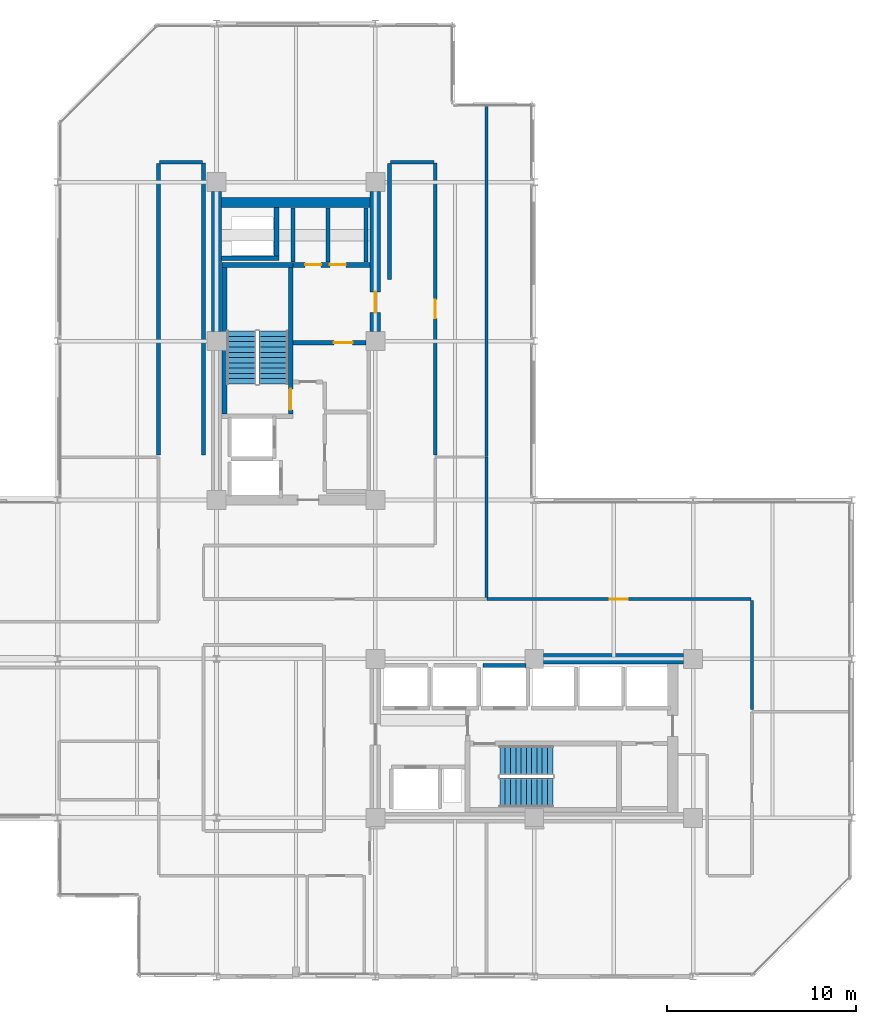
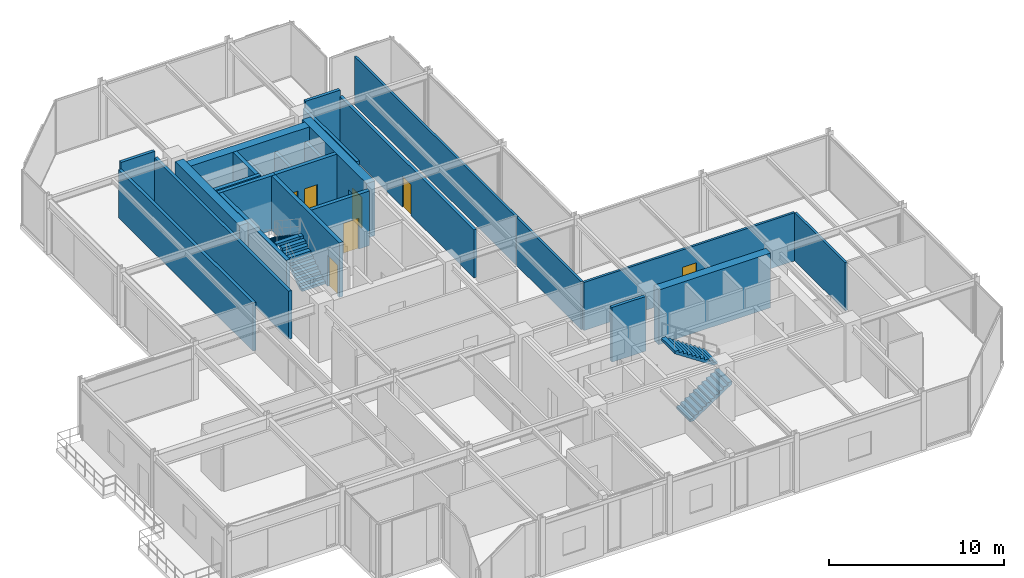
# One storey, part 26 of 29: 25 walls, 7 doors, 4 stair flights, 7 openings, 2 elements without a shape of their own.
"""IFC4 building model written with IfcOpenShell, lengths in metres."""

from ifc_helpers import new_model, si_unit, direction, frame, frame_2d, origin, place, context, subcontext, project, spatial, polyline, rectangle, outline, extrude, material, layer, layer_set, type_object, element, fill, aggregate, save


model = new_model("IFC4")

# Units and contexts
model_context = context("Model", 3, precision=1e-05, world=origin(), true_north=direction((0.0, 1.0)))
body_context = subcontext(model_context, "Body", "Model", "MODEL_VIEW")
ifc_project = project(units=[si_unit("LENGTHUNIT", "METRE"), si_unit("AREAUNIT", "SQUARE_METRE"), si_unit("VOLUMEUNIT", "CUBIC_METRE"), si_unit("PLANEANGLEUNIT", "RADIAN"), si_unit("MASSUNIT", "GRAM", prefix="KILO")], contexts=[model_context])

# Site, building, storey
site_placement = place(None, origin())
site = spatial("IfcSite", under=ifc_project, at=site_placement, CompositionType="ELEMENT")
building_placement = place(site_placement, origin())
building = spatial("IfcBuilding", under=site, at=building_placement, Name="Nerrivon Quay Data Exchange", CompositionType="ELEMENT")
storey_placement = place(building_placement, frame((0.0, 0.0, 212.39990234375)))
storey = spatial("IfcBuildingStorey", under=building, at=storey_placement, Name="L50", CompositionType="ELEMENT", Elevation=212.39990234375)

# Walls
ifc_material_1 = material(Name="Concrete S65 (65 MPa)", Category="concrete")
ifc_layer_1 = layer(ifc_material_1, 0.550048828125)
ifc_layer_set_1 = layer_set([ifc_layer_1], Name="Concrete S65 (65 MPa)")
wall_type_1 = type_object("IfcWallType", Name="WALL-CW-700", PredefinedType="SHEAR", material=ifc_layer_set_1)
wall_1_placement = place(storey_placement, frame((8.39990234375, 34.10009765625, 0.0), z_axis=(0.0, 0.0, 1.0), x_axis=(0.0, 1.0, 0.0)))
element("IfcWall", 1, at=wall_1_placement, inside=storey, type_object=wall_type_1, Name="L50 West Split-Core Shear Wall WCW-W2", PredefinedType="SHEAR", context=body_context, shape_type="SweptSolid", body=[
    extrude(rectangle(XDim=7.39990234375, YDim=0.550048828125, at=frame_2d((3.699951171875, 0.0))), origin(), (0.0, 0.0, 1.0), 3.8251953125),
])
wall_2_placement = place(storey_placement, frame((8.675048828125, 40.925048828125, 0.0), z_axis=(0.0, 0.0, 1.0), x_axis=(1.0, 0.0, 0.0)))
element("IfcWall", 2, at=wall_2_placement, inside=storey, type_object=wall_type_1, Name="L50 West Split-Core Shear Wall WCW-N1", PredefinedType="SHEAR", context=body_context, shape_type="SweptSolid", body=[
    extrude(rectangle(XDim=7.849853515625, YDim=0.550048828125, at=frame_2d((3.9248046875, 0.0))), origin(), (0.0, 0.0, 1.0), 3.8251953125),
])

# Wall, opening, door
wall_3_placement = place(storey_placement, frame((16.800048828125, 34.10009765625, 0.0), z_axis=(0.0, 0.0, 1.0), x_axis=(0.0, 1.0, 0.0)))
wall_3 = element("IfcWall", 3, at=wall_3_placement, inside=storey, type_object=wall_type_1, Name="L50 West Split-Core Shear Wall WCW-E1", PredefinedType="SHEAR", context=body_context, shape_type="SweptSolid", body=[
    extrude(rectangle(XDim=7.39990234375, YDim=0.550048828125, at=frame_2d((3.699951171875, 0.0))), origin(), (0.0, 0.0, 1.0), 3.8251953125),
])
opening_1_placement = place(wall_3_placement, frame((1.0, 0.0, 0.0)))
opening_1 = element("IfcOpeningElement", 4, at=opening_1_placement, cuts=wall_3, Name="Opening FD-120", PredefinedType="OPENING", context=body_context, shape_type="SweptSolid", body=[
    extrude(rectangle(XDim=1.10009765625, YDim=2.14990234375, at=frame_2d((0.550048828125, 1.074951171875))), frame((0.0, 0.284912109375, 0.0), z_axis=(0.0, -1.0, 0.0), x_axis=(1.0, 0.0, 0.0)), (0.0, 0.0, 1.0), 0.570068359375),
])
ifc_material_2 = material(Name="Powder-coated galvanized steel sheet", Category="steel")
door_type_1 = type_object("IfcDoorType", Name="DR-FD120-1100", OperationType="NOTDEFINED", PredefinedType="DOOR", material=ifc_material_2)
door_1_placement = place(opening_1_placement, origin())
door_1 = element("IfcDoor", 5, at=door_1_placement, inside=storey, type_object=door_type_1, Name="L50 West Core Lobby Fire Door", OperationType="SINGLE_SWING_LEFT", OverallHeight=2.14990234375, OverallWidth=1.10009765625, PredefinedType="DOOR", context=body_context, shape_type="SweptSolid", body=[
    extrude(rectangle(XDim=1.10009765625, YDim=2.14990234375, at=frame_2d((0.550048828125, 1.074951171875))), frame((0.0, 0.02490234375, 0.0), z_axis=(0.0, -1.0, 0.0), x_axis=(1.0, 0.0, 0.0)), (0.0, 0.0, 1.0), 0.050048828125),
])
fill(opening_1, door_1)

# Walls
wall_4_placement = place(storey_placement, frame((25.699951171875, 16.800048828125, 0.0), z_axis=(0.0, 0.0, 1.0), x_axis=(1.0, 0.0, 0.0)))
element("IfcWall", 6, at=wall_4_placement, inside=storey, type_object=wall_type_1, Name="L50 East Split-Core Shear Wall ECW-N1", PredefinedType="SHEAR", context=body_context, shape_type="SweptSolid", body=[
    extrude(rectangle(XDim=7.400146484375, YDim=0.550048828125, at=frame_2d((3.7001953125, 0.0))), origin(), (0.0, 0.0, 1.0), 3.8251953125),
])
ifc_material_3 = material(Name="Gypsum plasterboard on cold-formed framing", Category="gypsum")
ifc_layer_2 = layer(ifc_material_3, 0.199951171875)
ifc_layer_set_2 = layer_set([ifc_layer_2], Name="Gypsum plasterboard on cold-formed framing")
wall_type_2 = type_object("IfcWallType", Name="WALL-FW-200", PredefinedType="PARTITIONING", material=ifc_layer_set_2)
wall_5_placement = place(storey_placement, frame((22.5, 16.449951171875, 0.0), z_axis=(0.0, 0.0, 1.0), x_axis=(1.0, 0.0, 0.0)))
element("IfcWall", 7, at=wall_5_placement, inside=storey, type_object=wall_type_2, Name="L50 Lift Shaft Wall PL6 NORTH", PredefinedType="PARTITIONING", context=body_context, shape_type="SweptSolid", body=[
    extrude(rectangle(XDim=2.25, YDim=0.199951171875, at=frame_2d((1.125, 0.0))), origin(), (0.0, 0.0, 1.0), 3.8251953125),
])
for number, where, z_axis, x_axis, name in (
    (8, (14.300048828125, 37.780029296875, 0.0), (0.0, 0.0, 1.0), (0.0, 1.0, 0.0), "L50 Partition Cleaners Store"),
    (9, (12.449951171875, 40.64599609375, 0.0), (0.0, 0.0, 1.0), (0.0, -1.0, 0.0), "L50 Partition Cleaners Store"),
    (10, (16.300048828125, 37.780029296875, 0.0), (0.0, 0.0, 1.0), (0.0, 1.0, 0.0), "L50 Partition Janitor Closet"),
):
    element("IfcWall", number, at=place(storey_placement, frame(where, z_axis=z_axis, x_axis=x_axis)), inside=storey, type_object=wall_type_2, Name=name, PredefinedType="PARTITIONING", context=body_context, shape_type="SweptSolid", body=[
        extrude(rectangle(XDim=2.865966796875, YDim=0.199951171875, at=frame_2d((1.43310546875, 0.0))), origin(), (0.0, 0.0, 1.0), 2.875),
    ])
wall_6_placement = place(storey_placement, frame((5.340087890625, 27.589111328125, 0.0), z_axis=(0.0, 0.0, 1.0), x_axis=(0.0, 1.0, 0.0)))
element("IfcWall", 11, at=wall_6_placement, inside=storey, type_object=wall_type_2, Name="L50 Partition Colocation Data Workspace 1", PredefinedType="PARTITIONING", context=body_context, shape_type="SweptSolid", body=[
    extrude(rectangle(XDim=15.410888671875, YDim=0.199951171875, at=frame_2d((7.70556640625, 0.0))), origin(), (0.0, 0.0, 1.0), 3.364990234375),
])
wall_7_placement = place(storey_placement, frame((5.39990234375, 43.06005859375, 0.0), z_axis=(0.0, 0.0, 1.0), x_axis=(1.0, 0.0, 0.0)))
element("IfcWall", 12, at=wall_7_placement, inside=storey, type_object=wall_type_2, Name="L50 Partition Colocation Data Workspace 1", PredefinedType="PARTITIONING", context=body_context, shape_type="SweptSolid", body=[
    extrude(rectangle(XDim=2.25, YDim=0.199951171875, at=frame_2d((1.125, 0.0))), origin(), (0.0, 0.0, 1.0), 3.8251953125),
])
wall_8_placement = place(storey_placement, frame((7.709716796875, 43.005859375, 0.0), z_axis=(0.0, 0.0, 1.0), x_axis=(1.5836065e-05, -0.999999999875, 0.0)))
element("IfcWall", 13, at=wall_8_placement, inside=storey, type_object=wall_type_2, Name="L50 Partition Colocation Data Workspace 1", PredefinedType="PARTITIONING", context=body_context, shape_type="SweptSolid", body=[
    extrude(rectangle(XDim=15.416748046875, YDim=0.199951171875, at=frame_2d((7.70849609375, 0.0))), origin(), (0.0, 0.0, 1.0), 3.364990234375),
])
wall_9_placement = place(storey_placement, frame((17.5400390625, 36.860107421875, 0.0), z_axis=(0.0, 0.0, 1.0), x_axis=(0.0, 1.0, 0.0)))
element("IfcWall", 14, at=wall_9_placement, inside=storey, type_object=wall_type_2, Name="L50 Partition Colocation Data Workspace 1", PredefinedType="PARTITIONING", context=body_context, shape_type="SweptSolid", body=[
    extrude(rectangle(XDim=6.139892578125, YDim=0.199951171875, at=frame_2d((3.06982421875, 0.0))), origin(), (0.0, 0.0, 1.0), 3.364990234375),
])
wall_10_placement = place(storey_placement, frame((17.60009765625, 43.06005859375, 0.0), z_axis=(0.0, 0.0, 1.0), x_axis=(1.0, 0.0, 0.0)))
element("IfcWall", 15, at=wall_10_placement, inside=storey, type_object=wall_type_2, Name="L50 Partition Colocation Data Workspace 1", PredefinedType="PARTITIONING", context=body_context, shape_type="SweptSolid", body=[
    extrude(rectangle(XDim=2.2998046875, YDim=0.199951171875, at=frame_2d((1.14990234375, 0.0))), origin(), (0.0, 0.0, 1.0), 3.8251953125),
])

# Wall, opening, door
wall_11_placement = place(storey_placement, frame((19.959716796875, 43.005859375, 0.0), z_axis=(0.0, 0.0, 1.0), x_axis=(1.5836065e-05, -0.999999999875, 0.0)))
wall_11 = element("IfcWall", 16, at=wall_11_placement, inside=storey, type_object=wall_type_2, Name="L50 Partition Colocation Data Workspace 1", PredefinedType="PARTITIONING", context=body_context, shape_type="SweptSolid", body=[
    extrude(rectangle(XDim=15.416748046875, YDim=0.199951171875, at=frame_2d((7.70849609375, 0.0))), origin(), (0.0, 0.0, 1.0), 3.364990234375),
])
opening_2_placement = place(wall_11_placement, frame((7.20849609375, 0.0, 0.0)))
opening_2 = element("IfcOpeningElement", 17, at=opening_2_placement, cuts=wall_11, Name="Opening FD-60", PredefinedType="OPENING", context=body_context, shape_type="SweptSolid", body=[
    extrude(rectangle(XDim=1.0, YDim=2.14990234375, at=frame_2d((0.5, 1.074951171875))), frame((0.0, 0.10986328125, 0.0), z_axis=(0.0, -1.0, 0.0), x_axis=(1.0, 0.0, 0.0)), (0.0, 0.0, 1.0), 0.219970703125),
])
ifc_material_4 = material(Name="Engineered hardwood timber", Category="wood")
door_type_2 = type_object("IfcDoorType", Name="DR-FD60-1000", OperationType="NOTDEFINED", PredefinedType="DOOR", material=ifc_material_4)
door_2_placement = place(opening_2_placement, origin())
door_2 = element("IfcDoor", 18, at=door_2_placement, inside=storey, type_object=door_type_2, Name="L50 Door Colocation Data Workspace 1", OperationType="SINGLE_SWING_RIGHT", OverallHeight=2.14990234375, OverallWidth=1.0, PredefinedType="DOOR", context=body_context, shape_type="SweptSolid", body=[
    extrude(rectangle(XDim=1.0, YDim=2.14990234375, at=frame_2d((0.5, 1.074951171875))), frame((0.0, 0.02490234375, 0.0), z_axis=(0.0, -1.0, 0.0), x_axis=(1.0, 0.0, 0.0)), (0.0, 0.0, 1.0), 0.050048828125),
])
fill(opening_2, door_2)

# Walls
ifc_layer_3 = layer(ifc_material_3, 0.14990234375)
ifc_layer_set_3 = layer_set([ifc_layer_3], Name="Gypsum plasterboard on cold-formed framing")
wall_type_3 = type_object("IfcWallType", Name="WALL-PT-150", PredefinedType="PARTITIONING", material=ifc_layer_set_3)
wall_12_placement = place(storey_placement, frame((22.673095703125, 20.0390625, 0.0), z_axis=(0.0, 0.0, 1.0), x_axis=(0.0, 1.0, 0.0)))
element("IfcWall", 19, at=wall_12_placement, inside=storey, type_object=wall_type_3, Name="L50 Partition Network Security Control", PredefinedType="PARTITIONING", context=body_context, shape_type="SweptSolid", body=[
    extrude(rectangle(XDim=7.43017578125, YDim=0.14990234375, at=frame_2d((3.715087890625, 0.0))), origin(), (0.0, 0.0, 1.0), 3.364990234375),
])
wall_13_placement = place(storey_placement, frame((22.673095703125, 46.031005859375, 0.0), z_axis=(0.0, 0.0, 1.0), x_axis=(0.0, -1.0, 0.0)))
element("IfcWall", 20, at=wall_13_placement, inside=storey, type_object=wall_type_3, Name="L50 Partition Staff Bistro", PredefinedType="PARTITIONING", context=body_context, shape_type="SweptSolid", body=[
    extrude(rectangle(XDim=18.541748046875, YDim=0.14990234375, at=frame_2d((9.27099609375, 0.0))), origin(), (0.0, 0.0, 1.0), 3.364990234375),
])

# Wall, opening, door
wall_14_placement = place(storey_placement, frame((22.693115234375, 19.9599609375, 0.0), z_axis=(0.0, 0.0, 1.0), x_axis=(1.0, 0.0, 0.0)))
wall_14 = element("IfcWall", 21, at=wall_14_placement, inside=storey, type_object=wall_type_3, Name="L50 Partition Staff Bistro", PredefinedType="PARTITIONING", context=body_context, shape_type="SweptSolid", body=[
    extrude(rectangle(XDim=13.956787109375, YDim=0.14990234375, at=frame_2d((6.978515625, 0.0))), origin(), (0.0, 0.0, 1.0), 3.37109375),
])
opening_3_placement = place(wall_14_placement, frame((6.50341796875, 0.0, 0.0)))
opening_3 = element("IfcOpeningElement", 22, at=opening_3_placement, cuts=wall_14, Name="Opening D-01", PredefinedType="OPENING", context=body_context, shape_type="SweptSolid", body=[
    extrude(rectangle(XDim=0.949951171875, YDim=2.14990234375, at=frame_2d((0.47509765625, 1.074951171875))), frame((0.0, 0.0849609375, 0.0), z_axis=(0.0, -1.0, 0.0), x_axis=(1.0, 0.0, 0.0)), (0.0, 0.0, 1.0), 0.169921875),
])
door_type_3 = type_object("IfcDoorType", Name="DR-INT-950", OperationType="NOTDEFINED", PredefinedType="DOOR", material=ifc_material_4)
door_3_placement = place(opening_3_placement, origin())
door_3 = element("IfcDoor", 23, at=door_3_placement, inside=storey, type_object=door_type_3, Name="L50 Door Staff Bistro", OperationType="SINGLE_SWING_RIGHT", OverallHeight=2.14990234375, OverallWidth=0.949951171875, PredefinedType="DOOR", context=body_context, shape_type="SweptSolid", body=[
    extrude(rectangle(XDim=0.949951171875, YDim=2.14990234375, at=frame_2d((0.47509765625, 1.074951171875))), frame((0.0, 0.02490234375, 0.0), z_axis=(0.0, -1.0, 0.0), x_axis=(1.0, 0.0, 0.0)), (0.0, 0.0, 1.0), 0.050048828125),
])
fill(opening_3, door_3)

# Walls
wall_15_placement = place(storey_placement, frame((36.7099609375, 19.89990234375, 0.0), z_axis=(0.0, 0.0, 1.0), x_axis=(0.0, -1.0, 0.0)))
element("IfcWall", 24, at=wall_15_placement, inside=storey, type_object=wall_type_3, Name="L50 Partition Staff Bistro", PredefinedType="PARTITIONING", context=body_context, shape_type="SweptSolid", body=[
    extrude(rectangle(XDim=5.77978515625, YDim=0.14990234375, at=frame_2d((2.889892578125, 0.0))), origin(), (0.0, 0.0, 1.0), 3.364990234375),
])
ifc_material_5 = material(Name="Concrete N50 (50 MPa)", Category="concrete")
ifc_layer_4 = layer(ifc_material_5, 0.25)
ifc_layer_set_4 = layer_set([ifc_layer_4], Name="Concrete N50 (50 MPa)")
wall_type_4 = type_object("IfcWallType", Name="WALL-SW-250", PredefinedType="SHEAR", material=ifc_layer_set_4)
wall_16_placement = place(storey_placement, frame((12.449951171875, 37.625, 0.0), z_axis=(0.0, 0.0, 1.0), x_axis=(-1.0, 0.0, 0.0)))
element("IfcWall", 25, at=wall_16_placement, inside=storey, type_object=wall_type_4, Name="L50 ST01 Structural Stair Core Wall FAR", PredefinedType="SHEAR", context=body_context, shape_type="SweptSolid", body=[
    extrude(rectangle(XDim=3.75, YDim=0.25, at=frame_2d((1.875, 0.0))), origin(), (0.0, 0.0, 1.0), 3.8251953125),
])

# Wall, opening, door
wall_17_placement = place(storey_placement, frame((12.324951171875, 29.75, 0.0), z_axis=(0.0, 0.0, 1.0), x_axis=(0.0, 1.0, 0.0)))
wall_17 = element("IfcWall", 26, at=wall_17_placement, inside=storey, type_object=wall_type_4, Name="L50 ST01 Structural Stair Core Wall LEFT", PredefinedType="SHEAR", context=body_context, shape_type="SweptSolid", body=[
    extrude(rectangle(XDim=7.75, YDim=0.25, at=frame_2d((3.875, 0.0))), origin(), (0.0, 0.0, 1.0), 3.8251953125),
])
opening_4_placement = place(wall_17_placement, frame((0.219970703125, 0.0, 0.0)))
opening_4 = element("IfcOpeningElement", 27, at=opening_4_placement, cuts=wall_17, Name="Opening FD-120", PredefinedType="OPENING", context=body_context, shape_type="SweptSolid", body=[
    extrude(rectangle(XDim=1.10009765625, YDim=2.14990234375, at=frame_2d((0.550048828125, 1.074951171875))), frame((0.0, 0.135009765625, 0.0), z_axis=(0.0, -1.0, 0.0), x_axis=(1.0, 0.0, 0.0)), (0.0, 0.0, 1.0), 0.27001953125),
])
door_4_placement = place(opening_4_placement, origin())
door_4 = element("IfcDoor", 28, at=door_4_placement, inside=storey, type_object=door_type_1, Name="L50 Protected Stair Door ST01", OperationType="SINGLE_SWING_LEFT", OverallHeight=2.14990234375, OverallWidth=1.10009765625, PredefinedType="DOOR", context=body_context, shape_type="SweptSolid", body=[
    extrude(rectangle(XDim=1.10009765625, YDim=2.14990234375, at=frame_2d((0.550048828125, 1.074951171875))), frame((0.0, 0.02490234375, 0.0), z_axis=(0.0, -1.0, 0.0), x_axis=(1.0, 0.0, 0.0)), (0.0, 0.0, 1.0), 0.050048828125),
])
fill(opening_4, door_4)

# Walls
wall_18_placement = place(storey_placement, frame((8.824951171875, 29.75, 0.0), z_axis=(0.0, 0.0, 1.0), x_axis=(0.0, 1.0, 0.0)))
element("IfcWall", 29, at=wall_18_placement, inside=storey, type_object=wall_type_4, Name="L50 ST01 Structural Stair Core Wall RIGHT", PredefinedType="SHEAR", context=body_context, shape_type="SweptSolid", body=[
    extrude(rectangle(XDim=7.75, YDim=0.25, at=frame_2d((3.875, 0.0))), origin(), (0.0, 0.0, 1.0), 3.8251953125),
])
wall_19_placement = place(storey_placement, frame((8.675048828125, 37.97509765625, 0.0), z_axis=(0.0, 0.0, 1.0), x_axis=(1.0, 0.0, 0.0)))
element("IfcWall", 30, at=wall_19_placement, inside=storey, type_object=wall_type_4, Name="L50 West Core MEP Riser Shaft Wall S", PredefinedType="SHEAR", context=body_context, shape_type="SweptSolid", body=[
    extrude(rectangle(XDim=3.02490234375, YDim=0.25, at=frame_2d((1.512451171875, 0.0))), origin(), (0.0, 0.0, 1.0), 3.8251953125),
])
wall_20_placement = place(storey_placement, frame((11.574951171875, 38.10009765625, 0.0), z_axis=(0.0, 0.0, 1.0), x_axis=(0.0, 1.0, 0.0)))
element("IfcWall", 31, at=wall_20_placement, inside=storey, type_object=wall_type_4, Name="L50 West Core MEP Riser Shaft Wall E", PredefinedType="SHEAR", context=body_context, shape_type="SweptSolid", body=[
    extrude(rectangle(XDim=2.5498046875, YDim=0.25, at=frame_2d((1.27490234375, 0.0))), origin(), (0.0, 0.0, 1.0), 3.8251953125),
])

# Wall, opening, door
wall_21_placement = place(storey_placement, frame((12.449951171875, 33.52001953125, 0.0), z_axis=(0.0, 0.0, 1.0), x_axis=(1.0, 0.0, 0.0)))
wall_21 = element("IfcWall", 32, at=wall_21_placement, inside=storey, type_object=wall_type_4, Name="L50 West Lobby Smoke-Stop Wall", PredefinedType="SHEAR", context=body_context, shape_type="SweptSolid", body=[
    extrude(rectangle(XDim=3.85009765625, YDim=0.25, at=frame_2d((1.925048828125, 0.0))), origin(), (0.0, 0.0, 1.0), 3.8251953125),
])
opening_5_placement = place(wall_21_placement, frame((2.14990234375, 0.0, 0.0)))
opening_5 = element("IfcOpeningElement", 33, at=opening_5_placement, cuts=wall_21, Name="Opening FD-60", PredefinedType="OPENING", context=body_context, shape_type="SweptSolid", body=[
    extrude(rectangle(XDim=1.0, YDim=2.14990234375, at=frame_2d((0.5, 1.074951171875))), frame((0.0, 0.135009765625, 0.0), z_axis=(0.0, -1.0, 0.0), x_axis=(1.0, 0.0, 0.0)), (0.0, 0.0, 1.0), 0.27001953125),
])
door_5_placement = place(opening_5_placement, origin())
door_5 = element("IfcDoor", 34, at=door_5_placement, inside=storey, type_object=door_type_2, Name="L50 West Firefighting Lobby Fire Door", OperationType="SINGLE_SWING_LEFT", OverallHeight=2.14990234375, OverallWidth=1.0, PredefinedType="DOOR", context=body_context, shape_type="SweptSolid", body=[
    extrude(rectangle(XDim=1.0, YDim=2.14990234375, at=frame_2d((0.5, 1.074951171875))), frame((0.0, 0.02490234375, 0.0), z_axis=(0.0, -1.0, 0.0), x_axis=(1.0, 0.0, 0.0)), (0.0, 0.0, 1.0), 0.050048828125),
])
fill(opening_5, door_5)

# Wall, openings, doors
wall_22_placement = place(storey_placement, frame((12.449951171875, 37.625, 0.0), z_axis=(0.0, 0.0, 1.0), x_axis=(1.0, 0.0, 0.0)))
wall_22 = element("IfcWall", 35, at=wall_22_placement, inside=storey, type_object=wall_type_4, Name="L50 West Firefighting Lobby Wall", PredefinedType="SHEAR", context=body_context, shape_type="SweptSolid", body=[
    extrude(rectangle(XDim=4.074951171875, YDim=0.25, at=frame_2d((2.03759765625, 0.0))), origin(), (0.0, 0.0, 1.0), 3.8251953125),
])
opening_6_placement = place(wall_22_placement, frame((0.634521484375, 0.0, 0.0)))
opening_6 = element("IfcOpeningElement", 36, at=opening_6_placement, cuts=wall_22, Name="Opening FD-60S", PredefinedType="OPENING", context=body_context, shape_type="SweptSolid", body=[
    extrude(rectangle(XDim=0.85009765625, YDim=2.14990234375, at=frame_2d((0.425048828125, 1.074951171875))), frame((0.0, 0.135009765625, 0.0), z_axis=(0.0, -1.0, 0.0), x_axis=(1.0, 0.0, 0.0)), (0.0, 0.0, 1.0), 0.27001953125),
])
opening_7_placement = place(wall_22_placement, frame((1.9384765625, 0.0, 0.0)))
opening_7 = element("IfcOpeningElement", 37, at=opening_7_placement, cuts=wall_22, Name="Opening FD-60S", PredefinedType="OPENING", context=body_context, shape_type="SweptSolid", body=[
    extrude(rectangle(XDim=0.85009765625, YDim=2.14990234375, at=frame_2d((0.425048828125, 1.074951171875))), frame((0.0, 0.135009765625, 0.0), z_axis=(0.0, -1.0, 0.0), x_axis=(1.0, 0.0, 0.0)), (0.0, 0.0, 1.0), 0.27001953125),
])
door_type_4 = type_object("IfcDoorType", Name="DR-FD60-850", OperationType="NOTDEFINED", PredefinedType="DOOR", material=ifc_material_4)
door_6_placement = place(opening_6_placement, origin())
door_6 = element("IfcDoor", 38, at=door_6_placement, inside=storey, type_object=door_type_4, Name="L50 Door Cleaners Store", OperationType="SINGLE_SWING_LEFT", OverallHeight=2.14990234375, OverallWidth=0.85009765625, PredefinedType="DOOR", context=body_context, shape_type="SweptSolid", body=[
    extrude(rectangle(XDim=0.85009765625, YDim=2.14990234375, at=frame_2d((0.425048828125, 1.074951171875))), frame((0.0, 0.02490234375, 0.0), z_axis=(0.0, -1.0, 0.0), x_axis=(1.0, 0.0, 0.0)), (0.0, 0.0, 1.0), 0.050048828125),
])
fill(opening_6, door_6)
door_7_placement = place(opening_7_placement, origin())
door_7 = element("IfcDoor", 39, at=door_7_placement, inside=storey, type_object=door_type_4, Name="L50 Door Janitor Closet", OperationType="SINGLE_SWING_RIGHT", OverallHeight=2.14990234375, OverallWidth=0.85009765625, PredefinedType="DOOR", context=body_context, shape_type="SweptSolid", body=[
    extrude(rectangle(XDim=0.85009765625, YDim=2.14990234375, at=frame_2d((0.425048828125, 1.074951171875))), frame((0.0, 0.02490234375, 0.0), z_axis=(0.0, -1.0, 0.0), x_axis=(1.0, 0.0, 0.0)), (0.0, 0.0, 1.0), 0.050048828125),
])
fill(opening_7, door_7)

# Stair, stair flights
stair_type = type_object("IfcStairType", Name="STAIR-DOG-41", PredefinedType="HALF_TURN_STAIR", material=ifc_material_5)
stair_1_placement = place(storey_placement, origin())
stair_1 = element("IfcStair", 40, at=stair_1_placement, inside=storey, type_object=stair_type, Name="L50 West Core Fire Stair ST01", PredefinedType="HALF_TURN_STAIR")
stair_flight_type = type_object("IfcStairFlightType", Name="FLIGHT-DOG-41", PredefinedType="STRAIGHT", material=ifc_material_5)
stair_flight_1_placement = place(storey_placement, frame((11.425048828125, 31.330078125, 0.0), z_axis=(0.0, 0.0, 1.0), x_axis=(0.0, 1.0, 0.0)))
stair_flight_1 = element("IfcStairFlight", 41, at=stair_flight_1_placement, type_object=stair_flight_type, Name="ST01 flight 1", NumberOfRisers=11, NumberOfTreads=10, PredefinedType="STRAIGHT", RiserHeight=0.186363636, TreadLength=0.28, context=body_context, shape_type="SweptSolid", body=[
    extrude(outline(polyline([(0.0, 0.0), (0.0, 0.186279296875), (0.280029296875, 0.186279296875), (0.280029296875, 0.372802734375), (0.56005859375, 0.372802734375), (0.56005859375, 0.55908203125), (0.840087890625, 0.55908203125), (0.840087890625, 0.745361328125), (1.1201171875, 0.745361328125), (1.1201171875, 0.931884765625), (1.39990234375, 0.931884765625), (1.39990234375, 1.1181640625), (1.679931640625, 1.1181640625), (1.679931640625, 1.304443359375), (1.9599609375, 1.304443359375), (1.9599609375, 1.490966796875), (2.239990234375, 1.490966796875), (2.239990234375, 1.67724609375), (2.52001953125, 1.67724609375), (2.52001953125, 1.863525390625), (2.800048828125, 1.863525390625), (2.800048828125, 2.050048828125), (2.800048828125, 1.68359375), (0.2705078125, 0.0), (0.0, 0.0)])), frame((0.0, 0.77490234375, 0.0), z_axis=(0.0, -1.0, 0.0), x_axis=(1.0, 0.0, 0.0)), (0.0, 0.0, 1.0), 1.550048828125),
])
stair_flight_2_placement = place(storey_placement, frame((9.72509765625, 34.1298828125, 2.050048828125), z_axis=(0.0, 0.0, 1.0), x_axis=(0.0, -1.0, 0.0)))
stair_flight_2 = element("IfcStairFlight", 42, at=stair_flight_2_placement, type_object=stair_flight_type, Name="ST01 flight 2", NumberOfRisers=11, NumberOfTreads=10, PredefinedType="STRAIGHT", RiserHeight=0.186363636, TreadLength=0.28, context=body_context, shape_type="SweptSolid", body=[
    extrude(outline(polyline([(0.0, 0.0), (0.0, 0.186279296875), (0.280029296875, 0.186279296875), (0.280029296875, 0.372802734375), (0.56005859375, 0.372802734375), (0.56005859375, 0.55908203125), (0.840087890625, 0.55908203125), (0.840087890625, 0.745361328125), (1.1201171875, 0.745361328125), (1.1201171875, 0.931884765625), (1.39990234375, 0.931884765625), (1.39990234375, 1.1181640625), (1.679931640625, 1.1181640625), (1.679931640625, 1.304443359375), (1.9599609375, 1.304443359375), (1.9599609375, 1.490966796875), (2.239990234375, 1.490966796875), (2.239990234375, 1.67724609375), (2.52001953125, 1.67724609375), (2.52001953125, 1.863525390625), (2.800048828125, 1.863525390625), (2.800048828125, 2.050048828125), (2.800048828125, 1.68359375), (0.2705078125, 0.0), (0.0, 0.0)])), frame((0.0, 0.77490234375, 0.0), z_axis=(0.0, -1.0, 0.0), x_axis=(1.0, 0.0, 0.0)), (0.0, 0.0, 1.0), 1.550048828125),
])
aggregate(stair_1, [stair_flight_1, stair_flight_2])

stair_2_placement = place(storey_placement, origin())
stair_2 = element("IfcStair", 43, at=stair_2_placement, inside=storey, type_object=stair_type, Name="L50 East Core Fire Stair ST02", PredefinedType="HALF_TURN_STAIR")
stair_flight_3_placement = place(storey_placement, frame((23.3798828125, 9.72509765625, 0.0), z_axis=(0.0, 0.0, 1.0), x_axis=(1.0, 0.0, 0.0)))
stair_flight_3 = element("IfcStairFlight", 44, at=stair_flight_3_placement, type_object=stair_flight_type, Name="ST02 flight 1", NumberOfRisers=11, NumberOfTreads=10, PredefinedType="STRAIGHT", RiserHeight=0.186363636, TreadLength=0.28, context=body_context, shape_type="SweptSolid", body=[
    extrude(outline(polyline([(0.0, 0.0), (0.0, 0.186279296875), (0.280029296875, 0.186279296875), (0.280029296875, 0.372802734375), (0.56005859375, 0.372802734375), (0.56005859375, 0.55908203125), (0.840087890625, 0.55908203125), (0.840087890625, 0.745361328125), (1.1201171875, 0.745361328125), (1.1201171875, 0.931884765625), (1.39990234375, 0.931884765625), (1.39990234375, 1.1181640625), (1.679931640625, 1.1181640625), (1.679931640625, 1.304443359375), (1.9599609375, 1.304443359375), (1.9599609375, 1.490966796875), (2.239990234375, 1.490966796875), (2.239990234375, 1.67724609375), (2.52001953125, 1.67724609375), (2.52001953125, 1.863525390625), (2.800048828125, 1.863525390625), (2.800048828125, 2.050048828125), (2.800048828125, 1.68359375), (0.2705078125, 0.0), (0.0, 0.0)])), frame((0.0, 0.77490234375, 0.0), z_axis=(0.0, -1.0, 0.0), x_axis=(1.0, 0.0, 0.0)), (0.0, 0.0, 1.0), 1.550048828125),
])
stair_flight_4_placement = place(storey_placement, frame((26.179931640625, 11.425048828125, 2.050048828125), z_axis=(0.0, 0.0, 1.0), x_axis=(-1.0, 0.0, 0.0)))
stair_flight_4 = element("IfcStairFlight", 45, at=stair_flight_4_placement, type_object=stair_flight_type, Name="ST02 flight 2", NumberOfRisers=11, NumberOfTreads=10, PredefinedType="STRAIGHT", RiserHeight=0.186363636, TreadLength=0.28, context=body_context, shape_type="SweptSolid", body=[
    extrude(outline(polyline([(0.0, 0.0), (0.0, 0.186279296875), (0.280029296875, 0.186279296875), (0.280029296875, 0.372802734375), (0.56005859375, 0.372802734375), (0.56005859375, 0.55908203125), (0.840087890625, 0.55908203125), (0.840087890625, 0.745361328125), (1.1201171875, 0.745361328125), (1.1201171875, 0.931884765625), (1.39990234375, 0.931884765625), (1.39990234375, 1.1181640625), (1.679931640625, 1.1181640625), (1.679931640625, 1.304443359375), (1.9599609375, 1.304443359375), (1.9599609375, 1.490966796875), (2.239990234375, 1.490966796875), (2.239990234375, 1.67724609375), (2.52001953125, 1.67724609375), (2.52001953125, 1.863525390625), (2.800048828125, 1.863525390625), (2.800048828125, 2.050048828125), (2.800048828125, 1.68359375), (0.2705078125, 0.0), (0.0, 0.0)])), frame((0.0, 0.77490234375, 0.0), z_axis=(0.0, -1.0, 0.0), x_axis=(1.0, 0.0, 0.0)), (0.0, 0.0, 1.0), 1.550048828125),
])
aggregate(stair_2, [stair_flight_3, stair_flight_4])

save(model, "model.ifc")
